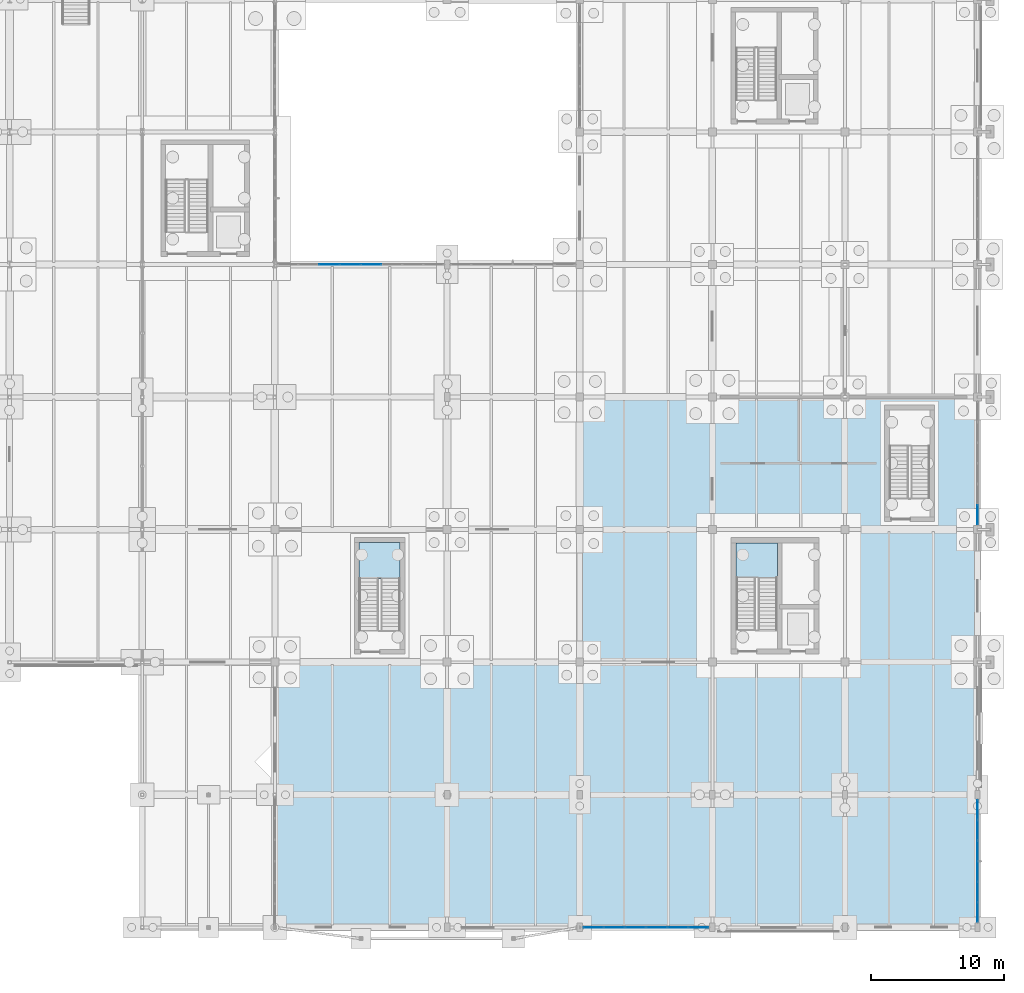
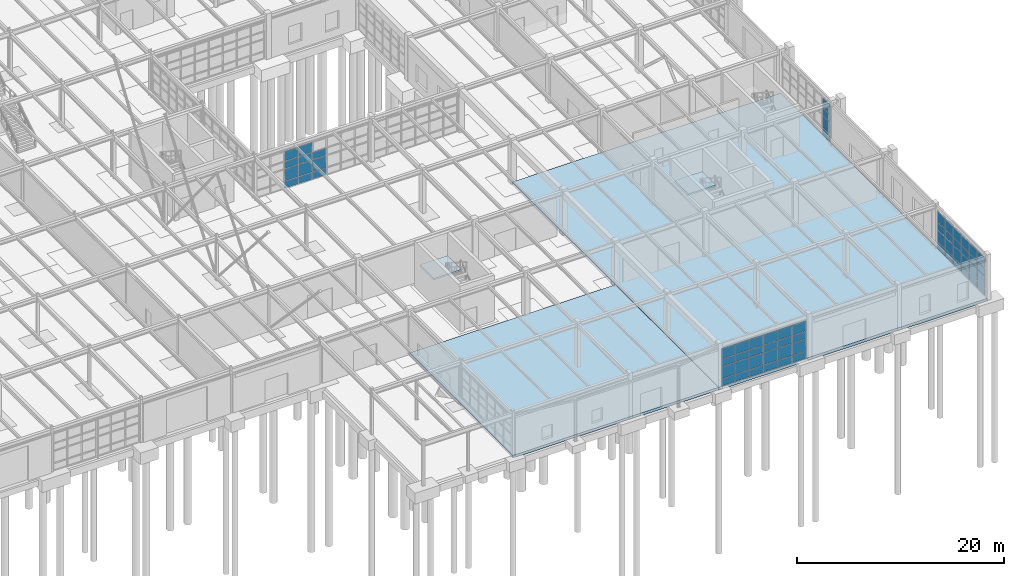
# One storey, part 93 of 145: 63 plates, 4 slabs, 6 elements without a shape of their own.
"""IFC4 building model written with IfcOpenShell, lengths in metres."""

from ifc_helpers import new_model, si_unit, direction, frame, origin, origin_2d, place, context, subcontext, project, spatial, polyline, rectangle, outline, extrude, material, layer, layer_set, type_object, element, aggregate, save


model = new_model("IFC4")

# Units and contexts
model_context = context("Model", 3, precision=1e-05, world=origin(), true_north=direction((0.0, 1.0)))
body_context = subcontext(model_context, "Body", "Model", "MODEL_VIEW")
ifc_project = project(units=[si_unit("LENGTHUNIT", "METRE"), si_unit("AREAUNIT", "SQUARE_METRE"), si_unit("VOLUMEUNIT", "CUBIC_METRE"), si_unit("PLANEANGLEUNIT", "RADIAN"), si_unit("MASSUNIT", "GRAM", prefix="KILO"), si_unit("THERMODYNAMICTEMPERATUREUNIT", "KELVIN"), si_unit("POWERUNIT", "WATT")], contexts=[model_context])

# Site, building, storey
site_placement = place(None, origin())
site = spatial("IfcSite", under=ifc_project, at=site_placement, CompositionType="ELEMENT")
building_placement = place(site_placement, origin())
building = spatial("IfcBuilding", under=site, at=building_placement, Name="Korenveer Ferry Terminal", CompositionType="ELEMENT")
storey_placement = place(building_placement, origin())
storey = spatial("IfcBuildingStorey", under=building, at=storey_placement, Name="L00", CompositionType="ELEMENT", Elevation=0.0)

# Curtain wall, plates
ifc_material_1 = material(Name="Unitised bronze-and-glass curtain wall", Category="glass")
ifc_layer_1 = layer(ifc_material_1, 0.159912109375)
ifc_layer_set_1 = layer_set([ifc_layer_1], Name="Unitised bronze-and-glass curtain wall")
curtain_wall_type_1 = type_object("IfcCurtainWallType", Name="ENV-CW-01", PredefinedType="USERDEFINED", material=ifc_layer_set_1)
curtain_wall_1_placement = place(storey_placement, frame((146.22998046875, 0.0, 0.0)))
curtain_wall_1 = element("IfcCurtainWall", 1, at=curtain_wall_1_placement, inside=storey, type_object=curtain_wall_type_1, Name="Lancet curtain wall CWX-L00-X146-156-Y0-0", ObjectType="UNITISED CURTAIN WALL", PredefinedType="USERDEFINED")
ifc_material_2 = material(Name="Low-iron solar-control double glazing", Category="glass")
ifc_layer_2 = layer(ifc_material_2, 0.028076171875)
ifc_layer_set_2 = layer_set([ifc_layer_2], Name="Low-iron solar-control double glazing")
plate_type = type_object("IfcPlateType", Name="ENV-CWP-GLZ28", PredefinedType="CURTAIN_PANEL", material=ifc_layer_set_2)
plate_1_placement = place(storey_placement, frame((147.0400390625, 0.0, 0.06005859375), z_axis=(0.0, 0.0, 1.0), x_axis=(1.0, 0.0, 0.0)))
plate_1 = element("IfcPlate", 2, at=plate_1_placement, type_object=plate_type, Name="CW-01 panel 1.1", PredefinedType="CURTAIN_PANEL", context=body_context, shape_type="SweptSolid", body=[
    extrude(rectangle(XDim=1.5, YDim=0.028076171875, at=origin_2d()), origin(), (0.0, 0.0, 1.0), 0.81005859375),
])
plate_2_placement = place(storey_placement, frame((147.0400390625, 0.0, 0.93017578125), z_axis=(0.0, 0.0, 1.0), x_axis=(1.0, 0.0, 0.0)))
plate_2 = element("IfcPlate", 3, at=plate_2_placement, type_object=plate_type, Name="CW-01 panel 1.2", PredefinedType="CURTAIN_PANEL", context=body_context, shape_type="SweptSolid", body=[
    extrude(rectangle(XDim=1.5, YDim=0.028076171875, at=origin_2d()), origin(), (0.0, 0.0, 1.0), 1.389892578125),
])
plate_3_placement = place(storey_placement, frame((147.0400390625, 0.0, 2.3798828125), z_axis=(0.0, 0.0, 1.0), x_axis=(1.0, 0.0, 0.0)))
plate_3 = element("IfcPlate", 4, at=plate_3_placement, type_object=plate_type, Name="CW-01 panel 1.3", PredefinedType="CURTAIN_PANEL", context=body_context, shape_type="SweptSolid", body=[
    extrude(rectangle(XDim=1.5, YDim=0.028076171875, at=origin_2d()), origin(), (0.0, 0.0, 1.0), 0.840087890625),
])
plate_4_placement = place(storey_placement, frame((147.0400390625, 0.0, 3.2802734375), z_axis=(0.0, 0.0, 1.0), x_axis=(1.0, 0.0, 0.0)))
plate_4 = element("IfcPlate", 5, at=plate_4_placement, type_object=plate_type, Name="CW-01 panel 1.4", PredefinedType="CURTAIN_PANEL", context=body_context, shape_type="SweptSolid", body=[
    extrude(rectangle(XDim=1.5, YDim=0.028076171875, at=origin_2d()), origin(), (0.0, 0.0, 1.0), 1.159912109375),
])
plate_5_placement = place(storey_placement, frame((148.614990234375, 0.0, 0.06005859375), z_axis=(0.0, 0.0, 1.0), x_axis=(1.0, 0.0, 0.0)))
plate_5 = element("IfcPlate", 6, at=plate_5_placement, type_object=plate_type, Name="CW-01 panel 2.1", PredefinedType="CURTAIN_PANEL", context=body_context, shape_type="SweptSolid", body=[
    extrude(rectangle(XDim=1.530029296875, YDim=0.028076171875, at=origin_2d()), origin(), (0.0, 0.0, 1.0), 0.81005859375),
])
plate_6_placement = place(storey_placement, frame((148.614990234375, 0.0, 0.93017578125), z_axis=(0.0, 0.0, 1.0), x_axis=(1.0, 0.0, 0.0)))
plate_6 = element("IfcPlate", 7, at=plate_6_placement, type_object=plate_type, Name="CW-01 panel 2.2", PredefinedType="CURTAIN_PANEL", context=body_context, shape_type="SweptSolid", body=[
    extrude(rectangle(XDim=1.530029296875, YDim=0.028076171875, at=origin_2d()), origin(), (0.0, 0.0, 1.0), 1.389892578125),
])
plate_7_placement = place(storey_placement, frame((148.614990234375, 0.0, 2.3798828125), z_axis=(0.0, 0.0, 1.0), x_axis=(1.0, 0.0, 0.0)))
plate_7 = element("IfcPlate", 8, at=plate_7_placement, type_object=plate_type, Name="CW-01 panel 2.3", PredefinedType="CURTAIN_PANEL", context=body_context, shape_type="SweptSolid", body=[
    extrude(rectangle(XDim=1.530029296875, YDim=0.028076171875, at=origin_2d()), origin(), (0.0, 0.0, 1.0), 0.840087890625),
])
plate_8_placement = place(storey_placement, frame((148.614990234375, 0.0, 3.2802734375), z_axis=(0.0, 0.0, 1.0), x_axis=(1.0, 0.0, 0.0)))
plate_8 = element("IfcPlate", 9, at=plate_8_placement, type_object=plate_type, Name="CW-01 panel 2.4", PredefinedType="CURTAIN_PANEL", context=body_context, shape_type="SweptSolid", body=[
    extrude(rectangle(XDim=1.530029296875, YDim=0.028076171875, at=origin_2d()), origin(), (0.0, 0.0, 1.0), 1.159912109375),
])
plate_9_placement = place(storey_placement, frame((150.205078125, 0.0, 0.06005859375), z_axis=(0.0, 0.0, 1.0), x_axis=(1.0, 0.0, 0.0)))
plate_9 = element("IfcPlate", 10, at=plate_9_placement, type_object=plate_type, Name="CW-01 panel 3.1", PredefinedType="CURTAIN_PANEL", context=body_context, shape_type="SweptSolid", body=[
    extrude(rectangle(XDim=1.530029296875, YDim=0.028076171875, at=origin_2d()), origin(), (0.0, 0.0, 1.0), 0.81005859375),
])
plate_10_placement = place(storey_placement, frame((150.205078125, 0.0, 0.93017578125), z_axis=(0.0, 0.0, 1.0), x_axis=(1.0, 0.0, 0.0)))
plate_10 = element("IfcPlate", 11, at=plate_10_placement, type_object=plate_type, Name="CW-01 panel 3.2", PredefinedType="CURTAIN_PANEL", context=body_context, shape_type="SweptSolid", body=[
    extrude(rectangle(XDim=1.530029296875, YDim=0.028076171875, at=origin_2d()), origin(), (0.0, 0.0, 1.0), 1.389892578125),
])
plate_11_placement = place(storey_placement, frame((150.205078125, 0.0, 2.3798828125), z_axis=(0.0, 0.0, 1.0), x_axis=(1.0, 0.0, 0.0)))
plate_11 = element("IfcPlate", 12, at=plate_11_placement, type_object=plate_type, Name="CW-01 panel 3.3", PredefinedType="CURTAIN_PANEL", context=body_context, shape_type="SweptSolid", body=[
    extrude(rectangle(XDim=1.530029296875, YDim=0.028076171875, at=origin_2d()), origin(), (0.0, 0.0, 1.0), 0.840087890625),
])
plate_12_placement = place(storey_placement, frame((150.205078125, 0.0, 3.2802734375), z_axis=(0.0, 0.0, 1.0), x_axis=(1.0, 0.0, 0.0)))
plate_12 = element("IfcPlate", 13, at=plate_12_placement, type_object=plate_type, Name="CW-01 panel 3.4", PredefinedType="CURTAIN_PANEL", context=body_context, shape_type="SweptSolid", body=[
    extrude(rectangle(XDim=1.530029296875, YDim=0.028076171875, at=origin_2d()), origin(), (0.0, 0.0, 1.0), 1.159912109375),
])
plate_13_placement = place(storey_placement, frame((151.794921875, 0.0, 0.06005859375), z_axis=(0.0, 0.0, 1.0), x_axis=(1.0, 0.0, 0.0)))
plate_13 = element("IfcPlate", 14, at=plate_13_placement, type_object=plate_type, Name="CW-01 panel 4.1", PredefinedType="CURTAIN_PANEL", context=body_context, shape_type="SweptSolid", body=[
    extrude(rectangle(XDim=1.530029296875, YDim=0.028076171875, at=origin_2d()), origin(), (0.0, 0.0, 1.0), 0.81005859375),
])
plate_14_placement = place(storey_placement, frame((151.794921875, 0.0, 0.93017578125), z_axis=(0.0, 0.0, 1.0), x_axis=(1.0, 0.0, 0.0)))
plate_14 = element("IfcPlate", 15, at=plate_14_placement, type_object=plate_type, Name="CW-01 panel 4.2", PredefinedType="CURTAIN_PANEL", context=body_context, shape_type="SweptSolid", body=[
    extrude(rectangle(XDim=1.530029296875, YDim=0.028076171875, at=origin_2d()), origin(), (0.0, 0.0, 1.0), 1.389892578125),
])
plate_15_placement = place(storey_placement, frame((151.794921875, 0.0, 2.3798828125), z_axis=(0.0, 0.0, 1.0), x_axis=(1.0, 0.0, 0.0)))
plate_15 = element("IfcPlate", 16, at=plate_15_placement, type_object=plate_type, Name="CW-01 panel 4.3", PredefinedType="CURTAIN_PANEL", context=body_context, shape_type="SweptSolid", body=[
    extrude(rectangle(XDim=1.530029296875, YDim=0.028076171875, at=origin_2d()), origin(), (0.0, 0.0, 1.0), 0.840087890625),
])
plate_16_placement = place(storey_placement, frame((151.794921875, 0.0, 3.2802734375), z_axis=(0.0, 0.0, 1.0), x_axis=(1.0, 0.0, 0.0)))
plate_16 = element("IfcPlate", 17, at=plate_16_placement, type_object=plate_type, Name="CW-01 panel 4.4", PredefinedType="CURTAIN_PANEL", context=body_context, shape_type="SweptSolid", body=[
    extrude(rectangle(XDim=1.530029296875, YDim=0.028076171875, at=origin_2d()), origin(), (0.0, 0.0, 1.0), 1.159912109375),
])
plate_17_placement = place(storey_placement, frame((153.385009765625, 0.0, 0.06005859375), z_axis=(0.0, 0.0, 1.0), x_axis=(1.0, 0.0, 0.0)))
plate_17 = element("IfcPlate", 18, at=plate_17_placement, type_object=plate_type, Name="CW-01 panel 5.1", PredefinedType="CURTAIN_PANEL", context=body_context, shape_type="SweptSolid", body=[
    extrude(rectangle(XDim=1.530029296875, YDim=0.028076171875, at=origin_2d()), origin(), (0.0, 0.0, 1.0), 0.81005859375),
])
plate_18_placement = place(storey_placement, frame((153.385009765625, 0.0, 0.93017578125), z_axis=(0.0, 0.0, 1.0), x_axis=(1.0, 0.0, 0.0)))
plate_18 = element("IfcPlate", 19, at=plate_18_placement, type_object=plate_type, Name="CW-01 panel 5.2", PredefinedType="CURTAIN_PANEL", context=body_context, shape_type="SweptSolid", body=[
    extrude(rectangle(XDim=1.530029296875, YDim=0.028076171875, at=origin_2d()), origin(), (0.0, 0.0, 1.0), 1.389892578125),
])
plate_19_placement = place(storey_placement, frame((153.385009765625, 0.0, 2.3798828125), z_axis=(0.0, 0.0, 1.0), x_axis=(1.0, 0.0, 0.0)))
plate_19 = element("IfcPlate", 20, at=plate_19_placement, type_object=plate_type, Name="CW-01 panel 5.3", PredefinedType="CURTAIN_PANEL", context=body_context, shape_type="SweptSolid", body=[
    extrude(rectangle(XDim=1.530029296875, YDim=0.028076171875, at=origin_2d()), origin(), (0.0, 0.0, 1.0), 0.840087890625),
])
plate_20_placement = place(storey_placement, frame((153.385009765625, 0.0, 3.2802734375), z_axis=(0.0, 0.0, 1.0), x_axis=(1.0, 0.0, 0.0)))
plate_20 = element("IfcPlate", 21, at=plate_20_placement, type_object=plate_type, Name="CW-01 panel 5.4", PredefinedType="CURTAIN_PANEL", context=body_context, shape_type="SweptSolid", body=[
    extrude(rectangle(XDim=1.530029296875, YDim=0.028076171875, at=origin_2d()), origin(), (0.0, 0.0, 1.0), 1.159912109375),
])
plate_21_placement = place(storey_placement, frame((154.9599609375, 0.0, 0.06005859375), z_axis=(0.0, 0.0, 1.0), x_axis=(1.0, 0.0, 0.0)))
plate_21 = element("IfcPlate", 22, at=plate_21_placement, type_object=plate_type, Name="CW-01 panel 6.1", PredefinedType="CURTAIN_PANEL", context=body_context, shape_type="SweptSolid", body=[
    extrude(rectangle(XDim=1.5, YDim=0.028076171875, at=origin_2d()), origin(), (0.0, 0.0, 1.0), 0.81005859375),
])
plate_22_placement = place(storey_placement, frame((154.9599609375, 0.0, 0.93017578125), z_axis=(0.0, 0.0, 1.0), x_axis=(1.0, 0.0, 0.0)))
plate_22 = element("IfcPlate", 23, at=plate_22_placement, type_object=plate_type, Name="CW-01 panel 6.2", PredefinedType="CURTAIN_PANEL", context=body_context, shape_type="SweptSolid", body=[
    extrude(rectangle(XDim=1.5, YDim=0.028076171875, at=origin_2d()), origin(), (0.0, 0.0, 1.0), 1.389892578125),
])
plate_23_placement = place(storey_placement, frame((154.9599609375, 0.0, 2.3798828125), z_axis=(0.0, 0.0, 1.0), x_axis=(1.0, 0.0, 0.0)))
plate_23 = element("IfcPlate", 24, at=plate_23_placement, type_object=plate_type, Name="CW-01 panel 6.3", PredefinedType="CURTAIN_PANEL", context=body_context, shape_type="SweptSolid", body=[
    extrude(rectangle(XDim=1.5, YDim=0.028076171875, at=origin_2d()), origin(), (0.0, 0.0, 1.0), 0.840087890625),
])
plate_24_placement = place(storey_placement, frame((154.9599609375, 0.0, 3.2802734375), z_axis=(0.0, 0.0, 1.0), x_axis=(1.0, 0.0, 0.0)))
plate_24 = element("IfcPlate", 25, at=plate_24_placement, type_object=plate_type, Name="CW-01 panel 6.4", PredefinedType="CURTAIN_PANEL", context=body_context, shape_type="SweptSolid", body=[
    extrude(rectangle(XDim=1.5, YDim=0.028076171875, at=origin_2d()), origin(), (0.0, 0.0, 1.0), 1.159912109375),
])
aggregate(curtain_wall_1, [plate_1, plate_2, plate_3, plate_4, plate_5, plate_6, plate_7, plate_8, plate_9, plate_10, plate_11, plate_12, plate_13, plate_14, plate_15, plate_16, plate_17, plate_18, plate_19, plate_20, plate_21, plate_22, plate_23, plate_24])

ifc_layer_3 = layer(ifc_material_1, 0.159912109375)
ifc_layer_set_3 = layer_set([ifc_layer_3], Name="Unitised bronze-and-glass curtain wall")
curtain_wall_type_2 = type_object("IfcCurtainWallType", Name="ENV-CW-04", PredefinedType="USERDEFINED", material=ifc_layer_set_3)
curtain_wall_2_placement = place(storey_placement, frame((123.179931640625, 50.0, 0.0)))
curtain_wall_2 = element("IfcCurtainWall", 26, at=curtain_wall_2_placement, inside=storey, type_object=curtain_wall_type_2, Name="Lancet curtain wall CWX-L00-X123-136-Y50-50", ObjectType="UNITISED CURTAIN WALL", PredefinedType="USERDEFINED")
plate_25_placement = place(storey_placement, frame((127.1142578125, 50.0, 0.06005859375), z_axis=(0.0, 0.0, 1.0), x_axis=(1.0, 0.0, 0.0)))
plate_25 = element("IfcPlate", 27, at=plate_25_placement, type_object=plate_type, Name="CW-04 panel 3.1", PredefinedType="CURTAIN_PANEL", context=body_context, shape_type="SweptSolid", body=[
    extrude(rectangle(XDim=1.513671875, YDim=0.028076171875, at=origin_2d()), origin(), (0.0, 0.0, 1.0), 0.81005859375),
])
plate_26_placement = place(storey_placement, frame((127.1142578125, 50.0, 0.93017578125), z_axis=(0.0, 0.0, 1.0), x_axis=(1.0, 0.0, 0.0)))
plate_26 = element("IfcPlate", 28, at=plate_26_placement, type_object=plate_type, Name="CW-04 panel 3.2", PredefinedType="CURTAIN_PANEL", context=body_context, shape_type="SweptSolid", body=[
    extrude(rectangle(XDim=1.513671875, YDim=0.028076171875, at=origin_2d()), origin(), (0.0, 0.0, 1.0), 1.389892578125),
])
plate_27_placement = place(storey_placement, frame((127.1142578125, 50.0, 2.3798828125), z_axis=(0.0, 0.0, 1.0), x_axis=(1.0, 0.0, 0.0)))
plate_27 = element("IfcPlate", 29, at=plate_27_placement, type_object=plate_type, Name="CW-04 panel 3.3", PredefinedType="CURTAIN_PANEL", context=body_context, shape_type="SweptSolid", body=[
    extrude(rectangle(XDim=1.513671875, YDim=0.028076171875, at=origin_2d()), origin(), (0.0, 0.0, 1.0), 0.840087890625),
])
plate_28_placement = place(storey_placement, frame((127.1142578125, 50.0, 3.280029296875), z_axis=(0.0, 0.0, 1.0), x_axis=(1.0, 0.0, 0.0)))
plate_28 = element("IfcPlate", 30, at=plate_28_placement, type_object=plate_type, Name="CW-04 panel 3.4", PredefinedType="CURTAIN_PANEL", context=body_context, shape_type="SweptSolid", body=[
    extrude(rectangle(XDim=1.513671875, YDim=0.028076171875, at=origin_2d()), origin(), (0.0, 0.0, 1.0), 1.14990234375),
])
plate_29_placement = place(storey_placement, frame((128.688232421875, 50.0, 0.06005859375), z_axis=(0.0, 0.0, 1.0), x_axis=(1.0, 0.0, 0.0)))
plate_29 = element("IfcPlate", 31, at=plate_29_placement, type_object=plate_type, Name="CW-04 panel 4.1", PredefinedType="CURTAIN_PANEL", context=body_context, shape_type="SweptSolid", body=[
    extrude(rectangle(XDim=1.513671875, YDim=0.028076171875, at=origin_2d()), origin(), (0.0, 0.0, 1.0), 0.81005859375),
])
plate_30_placement = place(storey_placement, frame((128.688232421875, 50.0, 0.93017578125), z_axis=(0.0, 0.0, 1.0), x_axis=(1.0, 0.0, 0.0)))
plate_30 = element("IfcPlate", 32, at=plate_30_placement, type_object=plate_type, Name="CW-04 panel 4.2", PredefinedType="CURTAIN_PANEL", context=body_context, shape_type="SweptSolid", body=[
    extrude(rectangle(XDim=1.513671875, YDim=0.028076171875, at=origin_2d()), origin(), (0.0, 0.0, 1.0), 1.389892578125),
])
plate_31_placement = place(storey_placement, frame((128.688232421875, 50.0, 2.3798828125), z_axis=(0.0, 0.0, 1.0), x_axis=(1.0, 0.0, 0.0)))
plate_31 = element("IfcPlate", 33, at=plate_31_placement, type_object=plate_type, Name="CW-04 panel 4.3", PredefinedType="CURTAIN_PANEL", context=body_context, shape_type="SweptSolid", body=[
    extrude(rectangle(XDim=1.513671875, YDim=0.028076171875, at=origin_2d()), origin(), (0.0, 0.0, 1.0), 0.840087890625),
])
plate_32_placement = place(storey_placement, frame((128.688232421875, 50.0, 3.280029296875), z_axis=(0.0, 0.0, 1.0), x_axis=(1.0, 0.0, 0.0)))
plate_32 = element("IfcPlate", 34, at=plate_32_placement, type_object=plate_type, Name="CW-04 panel 4.4", PredefinedType="CURTAIN_PANEL", context=body_context, shape_type="SweptSolid", body=[
    extrude(rectangle(XDim=1.513671875, YDim=0.028076171875, at=origin_2d()), origin(), (0.0, 0.0, 1.0), 1.14990234375),
])
plate_33_placement = place(storey_placement, frame((130.261962890625, 50.0, 0.06005859375), z_axis=(0.0, 0.0, 1.0), x_axis=(1.0, 0.0, 0.0)))
plate_33 = element("IfcPlate", 35, at=plate_33_placement, type_object=plate_type, Name="CW-04 panel 5.1", PredefinedType="CURTAIN_PANEL", context=body_context, shape_type="SweptSolid", body=[
    extrude(rectangle(XDim=1.513671875, YDim=0.028076171875, at=origin_2d()), origin(), (0.0, 0.0, 1.0), 0.81005859375),
])
plate_34_placement = place(storey_placement, frame((130.261962890625, 50.0, 0.93017578125), z_axis=(0.0, 0.0, 1.0), x_axis=(1.0, 0.0, 0.0)))
plate_34 = element("IfcPlate", 36, at=plate_34_placement, type_object=plate_type, Name="CW-04 panel 5.2", PredefinedType="CURTAIN_PANEL", context=body_context, shape_type="SweptSolid", body=[
    extrude(rectangle(XDim=1.513671875, YDim=0.028076171875, at=origin_2d()), origin(), (0.0, 0.0, 1.0), 1.389892578125),
])
plate_35_placement = place(storey_placement, frame((130.261962890625, 50.0, 2.3798828125), z_axis=(0.0, 0.0, 1.0), x_axis=(1.0, 0.0, 0.0)))
plate_35 = element("IfcPlate", 37, at=plate_35_placement, type_object=plate_type, Name="CW-04 panel 5.3", PredefinedType="CURTAIN_PANEL", context=body_context, shape_type="SweptSolid", body=[
    extrude(rectangle(XDim=1.513671875, YDim=0.028076171875, at=origin_2d()), origin(), (0.0, 0.0, 1.0), 0.840087890625),
])
aggregate(curtain_wall_2, [plate_25, plate_26, plate_27, plate_28, plate_29, plate_30, plate_31, plate_32, plate_33, plate_34, plate_35])

ifc_layer_4 = layer(ifc_material_1, 0.159912109375)
ifc_layer_set_4 = layer_set([ifc_layer_4], Name="Unitised bronze-and-glass curtain wall")
curtain_wall_type_3 = type_object("IfcCurtainWallType", Name="ENV-CW-33", PredefinedType="USERDEFINED", material=ifc_layer_set_4)
curtain_wall_3_placement = place(storey_placement, frame((176.0, 9.64501953125, 0.0)))
curtain_wall_3 = element("IfcCurtainWall", 38, at=curtain_wall_3_placement, inside=storey, type_object=curtain_wall_type_3, Name="Lancet curtain wall CWX-L00-X176-176-Y0-10", ObjectType="UNITISED CURTAIN WALL", PredefinedType="USERDEFINED")
plate_36_placement = place(storey_placement, frame((176.0, 8.855712890625, 0.06005859375), z_axis=(0.0, 0.0, 1.0), x_axis=(0.0, -1.0, 0.0)))
plate_36 = element("IfcPlate", 39, at=plate_36_placement, type_object=plate_type, Name="CW-33 panel 1.1", PredefinedType="CURTAIN_PANEL", context=body_context, shape_type="SweptSolid", body=[
    extrude(rectangle(XDim=1.458251953125, YDim=0.028076171875, at=origin_2d()), origin(), (0.0, 0.0, 1.0), 0.81005859375),
])
plate_37_placement = place(storey_placement, frame((176.0, 8.855712890625, 0.93017578125), z_axis=(0.0, 0.0, 1.0), x_axis=(0.0, -1.0, 0.0)))
plate_37 = element("IfcPlate", 40, at=plate_37_placement, type_object=plate_type, Name="CW-33 panel 1.2", PredefinedType="CURTAIN_PANEL", context=body_context, shape_type="SweptSolid", body=[
    extrude(rectangle(XDim=1.458251953125, YDim=0.028076171875, at=origin_2d()), origin(), (0.0, 0.0, 1.0), 1.389892578125),
])
plate_38_placement = place(storey_placement, frame((176.0, 8.855712890625, 2.3798828125), z_axis=(0.0, 0.0, 1.0), x_axis=(0.0, -1.0, 0.0)))
plate_38 = element("IfcPlate", 41, at=plate_38_placement, type_object=plate_type, Name="CW-33 panel 1.3", PredefinedType="CURTAIN_PANEL", context=body_context, shape_type="SweptSolid", body=[
    extrude(rectangle(XDim=1.458251953125, YDim=0.028076171875, at=origin_2d()), origin(), (0.0, 0.0, 1.0), 0.840087890625),
])
plate_39_placement = place(storey_placement, frame((176.0, 8.855712890625, 3.280029296875), z_axis=(0.0, 0.0, 1.0), x_axis=(0.0, -1.0, 0.0)))
plate_39 = element("IfcPlate", 42, at=plate_39_placement, type_object=plate_type, Name="CW-33 panel 1.4", PredefinedType="CURTAIN_PANEL", context=body_context, shape_type="SweptSolid", body=[
    extrude(rectangle(XDim=1.458251953125, YDim=0.028076171875, at=origin_2d()), origin(), (0.0, 0.0, 1.0), 1.2099609375),
])
plate_40_placement = place(storey_placement, frame((176.0, 7.322509765625, 0.06005859375), z_axis=(0.0, 0.0, 1.0), x_axis=(0.0, -1.0, 0.0)))
plate_40 = element("IfcPlate", 43, at=plate_40_placement, type_object=plate_type, Name="CW-33 panel 2.1", PredefinedType="CURTAIN_PANEL", context=body_context, shape_type="SweptSolid", body=[
    extrude(rectangle(XDim=1.48828125, YDim=0.028076171875, at=origin_2d()), origin(), (0.0, 0.0, 1.0), 0.81005859375),
])
plate_41_placement = place(storey_placement, frame((176.0, 7.322509765625, 0.93017578125), z_axis=(0.0, 0.0, 1.0), x_axis=(0.0, -1.0, 0.0)))
plate_41 = element("IfcPlate", 44, at=plate_41_placement, type_object=plate_type, Name="CW-33 panel 2.2", PredefinedType="CURTAIN_PANEL", context=body_context, shape_type="SweptSolid", body=[
    extrude(rectangle(XDim=1.48828125, YDim=0.028076171875, at=origin_2d()), origin(), (0.0, 0.0, 1.0), 1.389892578125),
])
plate_42_placement = place(storey_placement, frame((176.0, 7.322509765625, 2.3798828125), z_axis=(0.0, 0.0, 1.0), x_axis=(0.0, -1.0, 0.0)))
plate_42 = element("IfcPlate", 45, at=plate_42_placement, type_object=plate_type, Name="CW-33 panel 2.3", PredefinedType="CURTAIN_PANEL", context=body_context, shape_type="SweptSolid", body=[
    extrude(rectangle(XDim=1.48828125, YDim=0.028076171875, at=origin_2d()), origin(), (0.0, 0.0, 1.0), 0.840087890625),
])
plate_43_placement = place(storey_placement, frame((176.0, 7.322509765625, 3.280029296875), z_axis=(0.0, 0.0, 1.0), x_axis=(0.0, -1.0, 0.0)))
plate_43 = element("IfcPlate", 46, at=plate_43_placement, type_object=plate_type, Name="CW-33 panel 2.4", PredefinedType="CURTAIN_PANEL", context=body_context, shape_type="SweptSolid", body=[
    extrude(rectangle(XDim=1.48828125, YDim=0.028076171875, at=origin_2d()), origin(), (0.0, 0.0, 1.0), 1.2099609375),
])
plate_44_placement = place(storey_placement, frame((176.0, 5.774169921875, 0.06005859375), z_axis=(0.0, 0.0, 1.0), x_axis=(0.0, -1.0, 0.0)))
plate_44 = element("IfcPlate", 47, at=plate_44_placement, type_object=plate_type, Name="CW-33 panel 3.1", PredefinedType="CURTAIN_PANEL", context=body_context, shape_type="SweptSolid", body=[
    extrude(rectangle(XDim=1.48828125, YDim=0.028076171875, at=origin_2d()), origin(), (0.0, 0.0, 1.0), 0.81005859375),
])
plate_45_placement = place(storey_placement, frame((176.0, 5.774169921875, 0.93017578125), z_axis=(0.0, 0.0, 1.0), x_axis=(0.0, -1.0, 0.0)))
plate_45 = element("IfcPlate", 48, at=plate_45_placement, type_object=plate_type, Name="CW-33 panel 3.2", PredefinedType="CURTAIN_PANEL", context=body_context, shape_type="SweptSolid", body=[
    extrude(rectangle(XDim=1.48828125, YDim=0.028076171875, at=origin_2d()), origin(), (0.0, 0.0, 1.0), 1.389892578125),
])
plate_46_placement = place(storey_placement, frame((176.0, 5.774169921875, 2.3798828125), z_axis=(0.0, 0.0, 1.0), x_axis=(0.0, -1.0, 0.0)))
plate_46 = element("IfcPlate", 49, at=plate_46_placement, type_object=plate_type, Name="CW-33 panel 3.3", PredefinedType="CURTAIN_PANEL", context=body_context, shape_type="SweptSolid", body=[
    extrude(rectangle(XDim=1.48828125, YDim=0.028076171875, at=origin_2d()), origin(), (0.0, 0.0, 1.0), 0.840087890625),
])
plate_47_placement = place(storey_placement, frame((176.0, 5.774169921875, 3.280029296875), z_axis=(0.0, 0.0, 1.0), x_axis=(0.0, -1.0, 0.0)))
plate_47 = element("IfcPlate", 50, at=plate_47_placement, type_object=plate_type, Name="CW-33 panel 3.4", PredefinedType="CURTAIN_PANEL", context=body_context, shape_type="SweptSolid", body=[
    extrude(rectangle(XDim=1.48828125, YDim=0.028076171875, at=origin_2d()), origin(), (0.0, 0.0, 1.0), 1.2099609375),
])
plate_48_placement = place(storey_placement, frame((176.0, 4.225830078125, 0.06005859375), z_axis=(0.0, 0.0, 1.0), x_axis=(0.0, -1.0, 0.0)))
plate_48 = element("IfcPlate", 51, at=plate_48_placement, type_object=plate_type, Name="CW-33 panel 4.1", PredefinedType="CURTAIN_PANEL", context=body_context, shape_type="SweptSolid", body=[
    extrude(rectangle(XDim=1.48828125, YDim=0.028076171875, at=origin_2d()), origin(), (0.0, 0.0, 1.0), 0.81005859375),
])
plate_49_placement = place(storey_placement, frame((176.0, 4.225830078125, 0.93017578125), z_axis=(0.0, 0.0, 1.0), x_axis=(0.0, -1.0, 0.0)))
plate_49 = element("IfcPlate", 52, at=plate_49_placement, type_object=plate_type, Name="CW-33 panel 4.2", PredefinedType="CURTAIN_PANEL", context=body_context, shape_type="SweptSolid", body=[
    extrude(rectangle(XDim=1.48828125, YDim=0.028076171875, at=origin_2d()), origin(), (0.0, 0.0, 1.0), 1.389892578125),
])
plate_50_placement = place(storey_placement, frame((176.0, 4.225830078125, 2.3798828125), z_axis=(0.0, 0.0, 1.0), x_axis=(0.0, -1.0, 0.0)))
plate_50 = element("IfcPlate", 53, at=plate_50_placement, type_object=plate_type, Name="CW-33 panel 4.3", PredefinedType="CURTAIN_PANEL", context=body_context, shape_type="SweptSolid", body=[
    extrude(rectangle(XDim=1.48828125, YDim=0.028076171875, at=origin_2d()), origin(), (0.0, 0.0, 1.0), 0.840087890625),
])
plate_51_placement = place(storey_placement, frame((176.0, 4.225830078125, 3.280029296875), z_axis=(0.0, 0.0, 1.0), x_axis=(0.0, -1.0, 0.0)))
plate_51 = element("IfcPlate", 54, at=plate_51_placement, type_object=plate_type, Name="CW-33 panel 4.4", PredefinedType="CURTAIN_PANEL", context=body_context, shape_type="SweptSolid", body=[
    extrude(rectangle(XDim=1.48828125, YDim=0.028076171875, at=origin_2d()), origin(), (0.0, 0.0, 1.0), 1.2099609375),
])
plate_52_placement = place(storey_placement, frame((176.0, 2.677490234375, 0.06005859375), z_axis=(0.0, 0.0, 1.0), x_axis=(0.0, -1.0, 0.0)))
plate_52 = element("IfcPlate", 55, at=plate_52_placement, type_object=plate_type, Name="CW-33 panel 5.1", PredefinedType="CURTAIN_PANEL", context=body_context, shape_type="SweptSolid", body=[
    extrude(rectangle(XDim=1.48828125, YDim=0.028076171875, at=origin_2d()), origin(), (0.0, 0.0, 1.0), 0.81005859375),
])
plate_53_placement = place(storey_placement, frame((176.0, 2.677490234375, 0.93017578125), z_axis=(0.0, 0.0, 1.0), x_axis=(0.0, -1.0, 0.0)))
plate_53 = element("IfcPlate", 56, at=plate_53_placement, type_object=plate_type, Name="CW-33 panel 5.2", PredefinedType="CURTAIN_PANEL", context=body_context, shape_type="SweptSolid", body=[
    extrude(rectangle(XDim=1.48828125, YDim=0.028076171875, at=origin_2d()), origin(), (0.0, 0.0, 1.0), 1.389892578125),
])
plate_54_placement = place(storey_placement, frame((176.0, 2.677490234375, 2.3798828125), z_axis=(0.0, 0.0, 1.0), x_axis=(0.0, -1.0, 0.0)))
plate_54 = element("IfcPlate", 57, at=plate_54_placement, type_object=plate_type, Name="CW-33 panel 5.3", PredefinedType="CURTAIN_PANEL", context=body_context, shape_type="SweptSolid", body=[
    extrude(rectangle(XDim=1.48828125, YDim=0.028076171875, at=origin_2d()), origin(), (0.0, 0.0, 1.0), 0.840087890625),
])
plate_55_placement = place(storey_placement, frame((176.0, 2.677490234375, 3.280029296875), z_axis=(0.0, 0.0, 1.0), x_axis=(0.0, -1.0, 0.0)))
plate_55 = element("IfcPlate", 58, at=plate_55_placement, type_object=plate_type, Name="CW-33 panel 5.4", PredefinedType="CURTAIN_PANEL", context=body_context, shape_type="SweptSolid", body=[
    extrude(rectangle(XDim=1.48828125, YDim=0.028076171875, at=origin_2d()), origin(), (0.0, 0.0, 1.0), 1.2099609375),
])
plate_56_placement = place(storey_placement, frame((176.0, 1.144287109375, 0.06005859375), z_axis=(0.0, 0.0, 1.0), x_axis=(0.0, -1.0, 0.0)))
plate_56 = element("IfcPlate", 59, at=plate_56_placement, type_object=plate_type, Name="CW-33 panel 6.1", PredefinedType="CURTAIN_PANEL", context=body_context, shape_type="SweptSolid", body=[
    extrude(rectangle(XDim=1.458251953125, YDim=0.028076171875, at=origin_2d()), origin(), (0.0, 0.0, 1.0), 0.81005859375),
])
plate_57_placement = place(storey_placement, frame((176.0, 1.144287109375, 0.93017578125), z_axis=(0.0, 0.0, 1.0), x_axis=(0.0, -1.0, 0.0)))
plate_57 = element("IfcPlate", 60, at=plate_57_placement, type_object=plate_type, Name="CW-33 panel 6.2", PredefinedType="CURTAIN_PANEL", context=body_context, shape_type="SweptSolid", body=[
    extrude(rectangle(XDim=1.458251953125, YDim=0.028076171875, at=origin_2d()), origin(), (0.0, 0.0, 1.0), 1.389892578125),
])
plate_58_placement = place(storey_placement, frame((176.0, 1.144287109375, 2.3798828125), z_axis=(0.0, 0.0, 1.0), x_axis=(0.0, -1.0, 0.0)))
plate_58 = element("IfcPlate", 61, at=plate_58_placement, type_object=plate_type, Name="CW-33 panel 6.3", PredefinedType="CURTAIN_PANEL", context=body_context, shape_type="SweptSolid", body=[
    extrude(rectangle(XDim=1.458251953125, YDim=0.028076171875, at=origin_2d()), origin(), (0.0, 0.0, 1.0), 0.840087890625),
])
plate_59_placement = place(storey_placement, frame((176.0, 1.144287109375, 3.280029296875), z_axis=(0.0, 0.0, 1.0), x_axis=(0.0, -1.0, 0.0)))
plate_59 = element("IfcPlate", 62, at=plate_59_placement, type_object=plate_type, Name="CW-33 panel 6.4", PredefinedType="CURTAIN_PANEL", context=body_context, shape_type="SweptSolid", body=[
    extrude(rectangle(XDim=1.458251953125, YDim=0.028076171875, at=origin_2d()), origin(), (0.0, 0.0, 1.0), 1.2099609375),
])
aggregate(curtain_wall_3, [plate_36, plate_37, plate_38, plate_39, plate_40, plate_41, plate_42, plate_43, plate_44, plate_45, plate_46, plate_47, plate_48, plate_49, plate_50, plate_51, plate_52, plate_53, plate_54, plate_55, plate_56, plate_57, plate_58, plate_59])

ifc_layer_5 = layer(ifc_material_1, 0.159912109375)
ifc_layer_set_5 = layer_set([ifc_layer_5], Name="Unitised bronze-and-glass curtain wall")
curtain_wall_type_4 = type_object("IfcCurtainWallType", Name="ENV-CW-34", PredefinedType="USERDEFINED", material=ifc_layer_set_5)
curtain_wall_4_placement = place(storey_placement, frame((176.0, 39.669921875, 0.0)))
curtain_wall_4 = element("IfcCurtainWall", 63, at=curtain_wall_4_placement, inside=storey, type_object=curtain_wall_type_4, Name="Lancet curtain wall CWX-L00-X176-176-Y30-40", ObjectType="UNITISED CURTAIN WALL", PredefinedType="USERDEFINED")
plate_60_placement = place(storey_placement, frame((176.0, 31.123291015625, 0.06005859375), z_axis=(0.0, 0.0, 1.0), x_axis=(0.0, -1.0, 0.0)))
plate_60 = element("IfcPlate", 64, at=plate_60_placement, type_object=plate_type, Name="CW-34 panel 6.1", PredefinedType="CURTAIN_PANEL", context=body_context, shape_type="SweptSolid", body=[
    extrude(rectangle(XDim=1.466552734375, YDim=0.028076171875, at=origin_2d()), origin(), (0.0, 0.0, 1.0), 0.81005859375),
])
plate_61_placement = place(storey_placement, frame((176.0, 31.123291015625, 0.93017578125), z_axis=(0.0, 0.0, 1.0), x_axis=(0.0, -1.0, 0.0)))
plate_61 = element("IfcPlate", 65, at=plate_61_placement, type_object=plate_type, Name="CW-34 panel 6.2", PredefinedType="CURTAIN_PANEL", context=body_context, shape_type="SweptSolid", body=[
    extrude(rectangle(XDim=1.466552734375, YDim=0.028076171875, at=origin_2d()), origin(), (0.0, 0.0, 1.0), 1.389892578125),
])
plate_62_placement = place(storey_placement, frame((176.0, 31.123291015625, 2.3798828125), z_axis=(0.0, 0.0, 1.0), x_axis=(0.0, -1.0, 0.0)))
plate_62 = element("IfcPlate", 66, at=plate_62_placement, type_object=plate_type, Name="CW-34 panel 6.3", PredefinedType="CURTAIN_PANEL", context=body_context, shape_type="SweptSolid", body=[
    extrude(rectangle(XDim=1.466552734375, YDim=0.028076171875, at=origin_2d()), origin(), (0.0, 0.0, 1.0), 0.840087890625),
])
plate_63_placement = place(storey_placement, frame((176.0, 31.123291015625, 3.280029296875), z_axis=(0.0, 0.0, 1.0), x_axis=(0.0, -1.0, 0.0)))
plate_63 = element("IfcPlate", 67, at=plate_63_placement, type_object=plate_type, Name="CW-34 panel 6.4", PredefinedType="CURTAIN_PANEL", context=body_context, shape_type="SweptSolid", body=[
    extrude(rectangle(XDim=1.466552734375, YDim=0.028076171875, at=origin_2d()), origin(), (0.0, 0.0, 1.0), 1.14990234375),
])
aggregate(curtain_wall_4, [plate_60, plate_61, plate_62, plate_63])

# Stair, slab
ifc_material_3 = material(Name="Concrete C40/50", Category="concrete")
stair_type = type_object("IfcStairType", Name="INT-ST-01", PredefinedType="HALF_TURN_STAIR", material=ifc_material_3)
stair_1_placement = place(storey_placement, frame((160.175048828125, 22.449951171875, 0.0)))
stair_1 = element("IfcStair", 68, at=stair_1_placement, inside=storey, type_object=stair_type, Name="L00 East Firefighting Core K3", PredefinedType="HALF_TURN_STAIR")
ifc_layer_6 = layer(ifc_material_3, 0.199951171875)
ifc_layer_set_6 = layer_set([ifc_layer_6], Name="Concrete C40/50")
slab_type_1 = type_object("IfcSlabType", Name="INT-SL-LAND200", PredefinedType="LANDING", material=ifc_layer_set_6)
slab_1_placement = place(storey_placement, frame((0.0, 0.0, 2.5)))
slab_1 = element("IfcSlab", 69, at=slab_1_placement, type_object=slab_type_1, Name="ST03 landing 1", PredefinedType="LANDING", context=body_context, shape_type="SweptSolid", body=[
    extrude(outline(polyline([(160.89990234375, 26.3701171875), (160.89990234375, 29.0), (157.800048828125, 29.0), (157.800048828125, 26.3701171875), (160.89990234375, 26.3701171875)])), origin(), (0.0, 0.0, 1.0), 0.199951171875),
])
aggregate(stair_1, [slab_1])

stair_2_placement = place(storey_placement, frame((131.735107421875, 22.409912109375, 0.0)))
stair_2 = element("IfcStair", 70, at=stair_2_placement, inside=storey, type_object=stair_type, Name="L00 Arrivals East Stair Core K10", PredefinedType="HALF_TURN_STAIR")
slab_2_placement = place(storey_placement, frame((0.0, 0.0, 2.5)))
slab_2 = element("IfcSlab", 71, at=slab_2_placement, type_object=slab_type_1, Name="ST10 landing 1", PredefinedType="LANDING", context=body_context, shape_type="SweptSolid", body=[
    extrude(outline(polyline([(132.4599609375, 26.330078125), (132.4599609375, 29.0400390625), (129.360107421875, 29.0400390625), (129.360107421875, 26.330078125), (132.4599609375, 26.330078125)])), origin(), (0.0, 0.0, 1.0), 0.199951171875),
])
aggregate(stair_2, [slab_2])

# Slabs
ifc_layer_7 = layer(ifc_material_3, 0.320068359375)
ifc_layer_set_7 = layer_set([ifc_layer_7], Name="Concrete C40/50")
slab_type_2 = type_object("IfcSlabType", Name="STR-SL-BASE320", PredefinedType="BASESLAB", material=ifc_layer_set_7)
slab_3_placement = place(storey_placement, frame((0.0, 0.0, -0.320068359375)))
element("IfcSlab", 72, at=slab_3_placement, inside=storey, type_object=slab_type_2, Name="Floor slab SL-L00-FCE", PredefinedType="BASESLAB", context=body_context, shape_type="SweptSolid", body=[
    extrude(outline(polyline([(123.0, 0.0), (146.0, 0.0), (146.0, 20.0), (123.0, 20.0), (123.0, 0.0)])), origin(), (0.0, 0.0, 1.0), 0.320068359375),
])
ifc_layer_8 = layer(ifc_material_3, 0.35009765625)
ifc_layer_set_8 = layer_set([ifc_layer_8], Name="Concrete C40/50")
slab_type_3 = type_object("IfcSlabType", Name="STR-SL-BASE350", PredefinedType="BASESLAB", material=ifc_layer_set_8)
slab_4_placement = place(storey_placement, frame((0.0, 0.0, -0.35009765625)))
element("IfcSlab", 73, at=slab_4_placement, inside=storey, type_object=slab_type_3, Name="Floor slab SL-L00-E1", PredefinedType="BASESLAB", context=body_context, shape_type="SweptSolid", body=[
    extrude(outline(polyline([(146.0, 0.0), (176.0, 0.0), (176.0, 40.0), (146.0, 40.0), (146.0, 0.0)])), origin(), (0.0, 0.0, 1.0), 0.35009765625),
])

save(model, "model.ifc")
